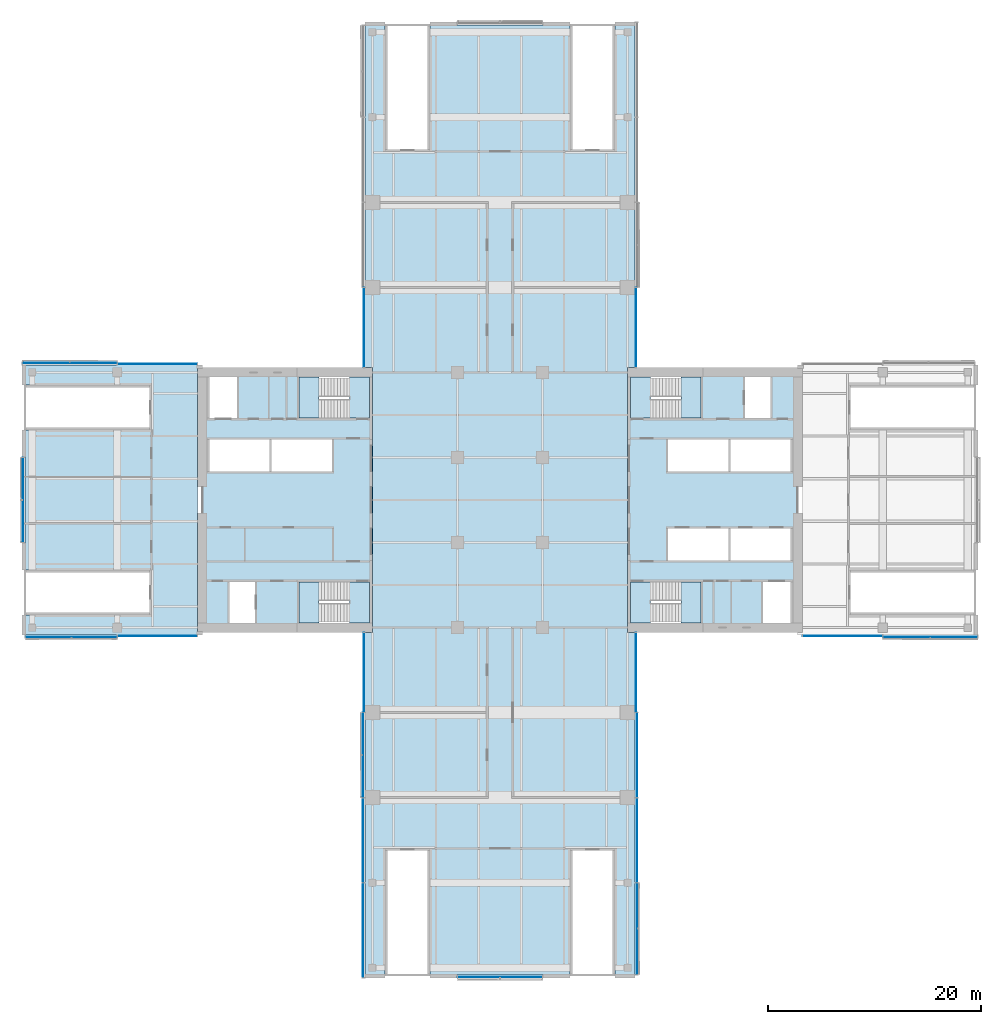
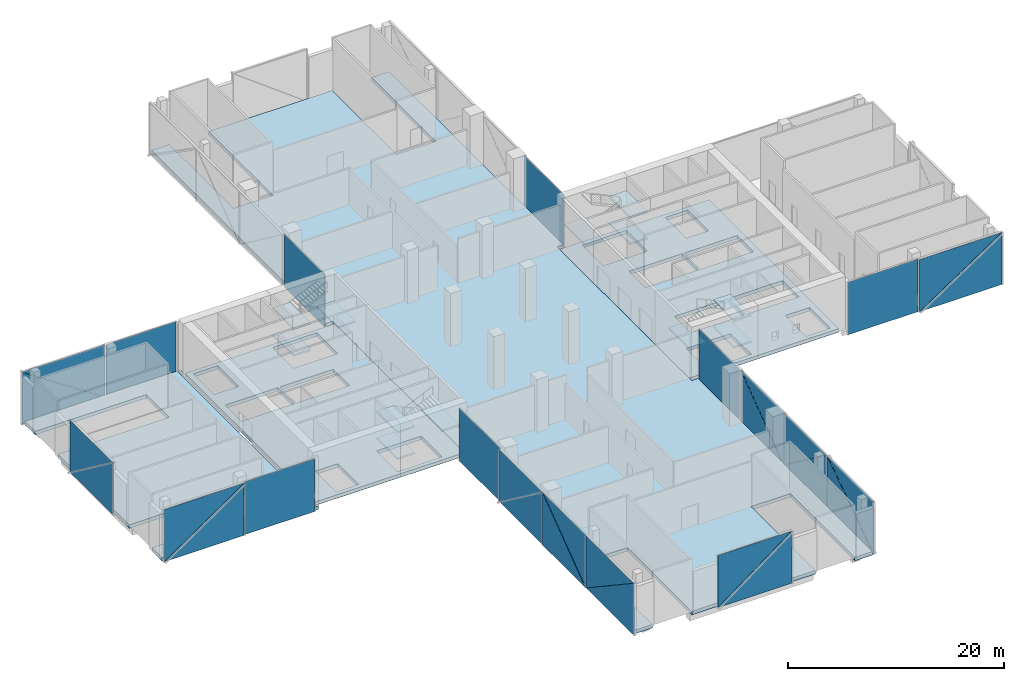
# One storey, part 12 of 23: 29 plates, 16 slabs, 18 elements without a shape of their own.
"""IFC4 building model written with IfcOpenShell, lengths in metres."""

from ifc_helpers import new_model, si_unit, direction, frame, origin, place, context, subcontext, project, spatial, polyline, outline, extrude, material, layer, layer_set, type_object, element, aggregate, save


model = new_model("IFC4")

# Units and contexts
model_context = context("Model", 3, precision=1e-05, world=origin(), true_north=direction((0.0, 1.0)))
body_context = subcontext(model_context, "Body", "Model", "MODEL_VIEW")
ifc_project = project(units=[si_unit("LENGTHUNIT", "METRE"), si_unit("AREAUNIT", "SQUARE_METRE"), si_unit("VOLUMEUNIT", "CUBIC_METRE"), si_unit("PLANEANGLEUNIT", "RADIAN"), si_unit("MASSUNIT", "GRAM", prefix="KILO")], contexts=[model_context])

# Site, building, storey
site_placement = place(None, origin())
site = spatial("IfcSite", under=ifc_project, at=site_placement, CompositionType="ELEMENT")
building_placement = place(site_placement, origin())
building = spatial("IfcBuilding", under=site, at=building_placement, Name="Crosswind Convention Tower", CompositionType="ELEMENT")
storey_placement = place(building_placement, frame((0.0, 0.0, 41.5)))
storey = spatial("IfcBuildingStorey", under=building, at=storey_placement, Name="L05", CompositionType="ELEMENT", Elevation=41.5)

# Slabs
ifc_material_1 = material(Name="Concrete C40/50", Category="concrete")
ifc_layer_1 = layer(ifc_material_1, 0.39990234375)
ifc_layer_set_1 = layer_set([ifc_layer_1], Name="Concrete C40/50")
slab_type_1 = type_object("IfcSlabType", Name="Composite floor slab 400", PredefinedType="FLOOR", material=ifc_layer_set_1)
slab_1_placement = place(storey_placement, frame((0.0, 0.0, -0.39990234375)))
element("IfcSlab", 1, at=slab_1_placement, inside=storey, type_object=slab_type_1, Name="Floor slab L05 part 1", PredefinedType="FLOOR", context=body_context, shape_type="SweptSolid", body=[
    extrude(outline(polyline([(97.0, 112.449951171875), (96.550048828125, 112.449951171875), (96.550048828125, 87.550048828125), (97.0, 87.550048828125), (97.0, 87.300048828125), (81.0, 87.300048828125), (80.300048828125, 87.300048828125), (80.300048828125, 88.0), (80.300048828125, 89.199951171875), (92.199951171875, 89.199951171875), (92.199951171875, 93.39990234375), (80.300048828125, 93.39990234375), (80.300048828125, 106.60009765625), (92.199951171875, 106.60009765625), (92.199951171875, 110.800048828125), (80.300048828125, 110.800048828125), (80.300048828125, 112.0), (80.300048828125, 112.699951171875), (81.0, 112.699951171875), (97.0, 112.699951171875), (97.0, 112.449951171875)])), origin(), (0.0, 0.0, 1.0), 0.39990234375),
])
slab_2_placement = place(storey_placement, frame((0.0, 0.0, -0.39990234375)))
element("IfcSlab", 2, at=slab_2_placement, inside=storey, type_object=slab_type_1, Name="Floor slab L05 part 2", PredefinedType="FLOOR", context=body_context, shape_type="SweptSolid", body=[
    extrude(outline(polyline([(114.199951171875, 132.800048828125), (118.39990234375, 132.800048828125), (118.39990234375, 144.699951171875), (131.60009765625, 144.699951171875), (131.60009765625, 132.800048828125), (135.800048828125, 132.800048828125), (135.800048828125, 144.699951171875), (137.0, 144.699951171875), (137.699951171875, 144.699951171875), (137.699951171875, 144.0), (137.699951171875, 112.449951171875), (137.0, 112.449951171875), (137.0, 87.550048828125), (137.699951171875, 87.550048828125), (137.699951171875, 56.0), (137.699951171875, 55.300048828125), (137.0, 55.300048828125), (135.800048828125, 55.300048828125), (135.800048828125, 67.199951171875), (131.60009765625, 67.199951171875), (131.60009765625, 55.300048828125), (118.39990234375, 55.300048828125), (118.39990234375, 67.199951171875), (114.199951171875, 67.199951171875), (114.199951171875, 55.300048828125), (113.0, 55.300048828125), (112.300048828125, 55.300048828125), (112.300048828125, 56.0), (112.300048828125, 87.550048828125), (113.0, 87.550048828125), (113.0, 112.449951171875), (112.300048828125, 112.449951171875), (112.300048828125, 144.0), (112.300048828125, 144.699951171875), (113.0, 144.699951171875), (114.199951171875, 144.699951171875), (114.199951171875, 132.800048828125)])), origin(), (0.0, 0.0, 1.0), 0.39990234375),
])
ifc_layer_2 = layer(ifc_material_1, 0.39990234375)
ifc_layer_set_2 = layer_set([ifc_layer_2], Name="Concrete C40/50")
slab_type_2 = type_object("IfcSlabType", Name="Concrete core floor slab 400", PredefinedType="FLOOR", material=ifc_layer_set_2)
slab_3_placement = place(storey_placement, frame((0.0, 0.0, -0.39990234375)))
element("IfcSlab", 3, at=slab_3_placement, inside=storey, type_object=slab_type_2, Name="Core floor slab E L05", PredefinedType="FLOOR", context=body_context, shape_type="SweptSolid", body=[
    extrude(outline(polyline([(137.0, 88.0), (153.0, 88.0), (153.0, 112.0), (137.0, 112.0), (137.0, 88.0)]), holes=[polyline([(146.5, 102.699951171875), (146.5, 105.699951171875), (140.800048828125, 105.699951171875), (140.800048828125, 102.699951171875), (146.5, 102.699951171875)]), polyline([(152.35009765625, 102.699951171875), (152.35009765625, 105.699951171875), (146.699951171875, 105.699951171875), (146.699951171875, 102.699951171875), (152.35009765625, 102.699951171875)]), polyline([(146.5, 94.300048828125), (146.5, 97.300048828125), (140.800048828125, 97.300048828125), (140.800048828125, 94.300048828125), (146.5, 94.300048828125)]), polyline([(152.35009765625, 94.300048828125), (152.35009765625, 97.300048828125), (146.699951171875, 97.300048828125), (146.699951171875, 94.300048828125), (152.35009765625, 94.300048828125)]), polyline([(150.449951171875, 107.699951171875), (150.449951171875, 111.550048828125), (148.050048828125, 111.550048828125), (148.050048828125, 107.699951171875), (150.449951171875, 107.699951171875)]), polyline([(152.35009765625, 88.449951171875), (152.35009765625, 92.300048828125), (149.75, 92.300048828125), (149.75, 88.449951171875), (152.35009765625, 88.449951171875)]), polyline([(143.89990234375, 107.699951171875), (143.89990234375, 111.550048828125), (139.14990234375, 111.550048828125), (139.14990234375, 107.699951171875), (143.89990234375, 107.699951171875)]), polyline([(143.89990234375, 88.449951171875), (143.89990234375, 92.300048828125), (139.14990234375, 92.300048828125), (139.14990234375, 88.449951171875), (143.89990234375, 88.449951171875)])]), origin(), (0.0, 0.0, 1.0), 0.39990234375),
])
slab_4_placement = place(storey_placement, frame((0.0, 0.0, -0.39990234375)))
element("IfcSlab", 4, at=slab_4_placement, inside=storey, type_object=slab_type_2, Name="Core floor slab W L05", PredefinedType="FLOOR", context=body_context, shape_type="SweptSolid", body=[
    extrude(outline(polyline([(97.0, 88.0), (113.0, 88.0), (113.0, 112.0), (97.0, 112.0), (97.0, 88.0)]), holes=[polyline([(109.199951171875, 102.699951171875), (109.199951171875, 105.699951171875), (103.5, 105.699951171875), (103.5, 102.699951171875), (109.199951171875, 102.699951171875)]), polyline([(103.300048828125, 102.699951171875), (103.300048828125, 105.699951171875), (97.64990234375, 105.699951171875), (97.64990234375, 102.699951171875), (103.300048828125, 102.699951171875)]), polyline([(101.949951171875, 88.449951171875), (101.949951171875, 92.300048828125), (99.550048828125, 92.300048828125), (99.550048828125, 88.449951171875), (101.949951171875, 88.449951171875)]), polyline([(100.25, 107.699951171875), (100.25, 111.550048828125), (97.64990234375, 111.550048828125), (97.64990234375, 107.699951171875), (100.25, 107.699951171875)]), polyline([(110.85009765625, 88.449951171875), (110.85009765625, 92.300048828125), (106.10009765625, 92.300048828125), (106.10009765625, 88.449951171875), (110.85009765625, 88.449951171875)]), polyline([(110.85009765625, 107.699951171875), (110.85009765625, 111.550048828125), (106.10009765625, 111.550048828125), (106.10009765625, 107.699951171875), (110.85009765625, 107.699951171875)])]), origin(), (0.0, 0.0, 1.0), 0.39990234375),
])

# Stair, slabs
stair_type = type_object("IfcStairType", Name="Exit stair 1800 wide, 4 flights of 11 risers", PredefinedType="HALF_TURN_STAIR", material=ifc_material_1)
stair_1_placement = place(storey_placement, origin())
stair_1 = element("IfcStair", 5, at=stair_1_placement, inside=storey, type_object=stair_type, Name="Exit stair ST1 L05", ObjectType="ST6", PredefinedType="HALF_TURN_STAIR")
ifc_layer_3 = layer(ifc_material_1, 0.199951171875)
ifc_layer_set_3 = layer_set([ifc_layer_3], Name="Concrete C40/50")
slab_type_3 = type_object("IfcSlabType", Name="Stair landing 200", PredefinedType="LANDING", material=ifc_layer_set_3)
slab_5_placement = place(storey_placement, frame((0.0, 0.0, 1.300048828125)))
slab_5 = element("IfcSlab", 6, at=slab_5_placement, type_object=slab_type_3, Name="ST1 landing 1", PredefinedType="LANDING", context=body_context, shape_type="SweptSolid", body=[
    extrude(outline(polyline([(143.89990234375, 107.699951171875), (143.89990234375, 111.550048828125), (142.050048828125, 111.550048828125), (142.050048828125, 107.699951171875), (143.89990234375, 107.699951171875)])), origin(), (0.0, 0.0, 1.0), 0.199951171875),
])
slab_6_placement = place(storey_placement, frame((0.0, 0.0, 2.800048828125)))
slab_6 = element("IfcSlab", 7, at=slab_6_placement, type_object=slab_type_3, Name="ST1 landing 2", PredefinedType="LANDING", context=body_context, shape_type="SweptSolid", body=[
    extrude(outline(polyline([(139.14990234375, 107.699951171875), (139.14990234375, 111.550048828125), (137.300048828125, 111.550048828125), (137.300048828125, 107.699951171875), (139.14990234375, 107.699951171875)])), origin(), (0.0, 0.0, 1.0), 0.199951171875),
])
slab_7_placement = place(storey_placement, frame((0.0, 0.0, 4.300048828125)))
slab_7 = element("IfcSlab", 8, at=slab_7_placement, type_object=slab_type_3, Name="ST1 landing 3", PredefinedType="LANDING", context=body_context, shape_type="SweptSolid", body=[
    extrude(outline(polyline([(143.89990234375, 107.699951171875), (143.89990234375, 111.550048828125), (142.050048828125, 111.550048828125), (142.050048828125, 107.699951171875), (143.89990234375, 107.699951171875)])), origin(), (0.0, 0.0, 1.0), 0.199951171875),
])
aggregate(stair_1, [slab_5, slab_6, slab_7])

stair_2_placement = place(storey_placement, origin())
stair_2 = element("IfcStair", 9, at=stair_2_placement, inside=storey, type_object=stair_type, Name="Exit stair ST2 L05", ObjectType="ST6", PredefinedType="HALF_TURN_STAIR")
slab_8_placement = place(storey_placement, frame((0.0, 0.0, 1.300048828125)))
slab_8 = element("IfcSlab", 10, at=slab_8_placement, type_object=slab_type_3, Name="ST2 landing 1", PredefinedType="LANDING", context=body_context, shape_type="SweptSolid", body=[
    extrude(outline(polyline([(143.89990234375, 88.449951171875), (143.89990234375, 92.300048828125), (142.050048828125, 92.300048828125), (142.050048828125, 88.449951171875), (143.89990234375, 88.449951171875)])), origin(), (0.0, 0.0, 1.0), 0.199951171875),
])
slab_9_placement = place(storey_placement, frame((0.0, 0.0, 2.800048828125)))
slab_9 = element("IfcSlab", 11, at=slab_9_placement, type_object=slab_type_3, Name="ST2 landing 2", PredefinedType="LANDING", context=body_context, shape_type="SweptSolid", body=[
    extrude(outline(polyline([(139.14990234375, 88.449951171875), (139.14990234375, 92.300048828125), (137.300048828125, 92.300048828125), (137.300048828125, 88.449951171875), (139.14990234375, 88.449951171875)])), origin(), (0.0, 0.0, 1.0), 0.199951171875),
])
slab_10_placement = place(storey_placement, frame((0.0, 0.0, 4.300048828125)))
slab_10 = element("IfcSlab", 12, at=slab_10_placement, type_object=slab_type_3, Name="ST2 landing 3", PredefinedType="LANDING", context=body_context, shape_type="SweptSolid", body=[
    extrude(outline(polyline([(143.89990234375, 88.449951171875), (143.89990234375, 92.300048828125), (142.050048828125, 92.300048828125), (142.050048828125, 88.449951171875), (143.89990234375, 88.449951171875)])), origin(), (0.0, 0.0, 1.0), 0.199951171875),
])
aggregate(stair_2, [slab_8, slab_9, slab_10])

stair_3_placement = place(storey_placement, origin())
stair_3 = element("IfcStair", 13, at=stair_3_placement, inside=storey, type_object=stair_type, Name="Exit stair ST3 L05", ObjectType="ST6", PredefinedType="HALF_TURN_STAIR")
slab_11_placement = place(storey_placement, frame((0.0, 0.0, 1.300048828125)))
slab_11 = element("IfcSlab", 14, at=slab_11_placement, type_object=slab_type_3, Name="ST3 landing 1", PredefinedType="LANDING", context=body_context, shape_type="SweptSolid", body=[
    extrude(outline(polyline([(107.949951171875, 88.449951171875), (107.949951171875, 92.300048828125), (106.10009765625, 92.300048828125), (106.10009765625, 88.449951171875), (107.949951171875, 88.449951171875)])), origin(), (0.0, 0.0, 1.0), 0.199951171875),
])
slab_12_placement = place(storey_placement, frame((0.0, 0.0, 2.800048828125)))
slab_12 = element("IfcSlab", 15, at=slab_12_placement, type_object=slab_type_3, Name="ST3 landing 2", PredefinedType="LANDING", context=body_context, shape_type="SweptSolid", body=[
    extrude(outline(polyline([(112.699951171875, 88.449951171875), (112.699951171875, 92.300048828125), (110.85009765625, 92.300048828125), (110.85009765625, 88.449951171875), (112.699951171875, 88.449951171875)])), origin(), (0.0, 0.0, 1.0), 0.199951171875),
])
slab_13_placement = place(storey_placement, frame((0.0, 0.0, 4.300048828125)))
slab_13 = element("IfcSlab", 16, at=slab_13_placement, type_object=slab_type_3, Name="ST3 landing 3", PredefinedType="LANDING", context=body_context, shape_type="SweptSolid", body=[
    extrude(outline(polyline([(107.949951171875, 88.449951171875), (107.949951171875, 92.300048828125), (106.10009765625, 92.300048828125), (106.10009765625, 88.449951171875), (107.949951171875, 88.449951171875)])), origin(), (0.0, 0.0, 1.0), 0.199951171875),
])
aggregate(stair_3, [slab_11, slab_12, slab_13])

stair_4_placement = place(storey_placement, origin())
stair_4 = element("IfcStair", 17, at=stair_4_placement, inside=storey, type_object=stair_type, Name="Exit stair ST4 L05", ObjectType="ST6", PredefinedType="HALF_TURN_STAIR")
slab_14_placement = place(storey_placement, frame((0.0, 0.0, 1.300048828125)))
slab_14 = element("IfcSlab", 18, at=slab_14_placement, type_object=slab_type_3, Name="ST4 landing 1", PredefinedType="LANDING", context=body_context, shape_type="SweptSolid", body=[
    extrude(outline(polyline([(107.949951171875, 107.699951171875), (107.949951171875, 111.550048828125), (106.10009765625, 111.550048828125), (106.10009765625, 107.699951171875), (107.949951171875, 107.699951171875)])), origin(), (0.0, 0.0, 1.0), 0.199951171875),
])
slab_15_placement = place(storey_placement, frame((0.0, 0.0, 2.800048828125)))
slab_15 = element("IfcSlab", 19, at=slab_15_placement, type_object=slab_type_3, Name="ST4 landing 2", PredefinedType="LANDING", context=body_context, shape_type="SweptSolid", body=[
    extrude(outline(polyline([(112.699951171875, 107.699951171875), (112.699951171875, 111.550048828125), (110.85009765625, 111.550048828125), (110.85009765625, 107.699951171875), (112.699951171875, 107.699951171875)])), origin(), (0.0, 0.0, 1.0), 0.199951171875),
])
slab_16_placement = place(storey_placement, frame((0.0, 0.0, 4.300048828125)))
slab_16 = element("IfcSlab", 20, at=slab_16_placement, type_object=slab_type_3, Name="ST4 landing 3", PredefinedType="LANDING", context=body_context, shape_type="SweptSolid", body=[
    extrude(outline(polyline([(107.949951171875, 107.699951171875), (107.949951171875, 111.550048828125), (106.10009765625, 111.550048828125), (106.10009765625, 107.699951171875), (107.949951171875, 107.699951171875)])), origin(), (0.0, 0.0, 1.0), 0.199951171875),
])
aggregate(stair_4, [slab_14, slab_15, slab_16])

# Curtain wall, plate
ifc_material_2 = material(Name="Aluminium unitised curtain wall", Category="aluminium")
curtain_wall_type_1 = type_object("IfcCurtainWallType", Name="CORE END SLOT WALL 160", PredefinedType="USERDEFINED", material=ifc_material_2)
curtain_wall_1_placement = place(storey_placement, origin())
curtain_wall_1 = element("IfcCurtainWall", 21, at=curtain_wall_1_placement, inside=storey, type_object=curtain_wall_type_1, Name="CW6 L05 N-E.1-1 slot", ObjectType="UNITISED", PredefinedType="USERDEFINED")
ifc_material_3 = material(Name="Laminated insulating glass unit", Category="glass")
ifc_layer_4 = layer(ifc_material_3, 0.02587890625)
ifc_layer_set_4 = layer_set([ifc_layer_4], Name="TRIANGULAR GLASS PANEL 26")
plate_type_1 = type_object("IfcPlateType", Name="TRIANGULAR GLASS PANEL 26", PredefinedType="CURTAIN_PANEL", material=ifc_layer_set_4)
plate_1_placement = place(storey_placement, frame((137.80712890625, 112.5, -0.39990234375), z_axis=(0.999999931812, 0.0, 0.000369291346), x_axis=(0.0, 1.0, 0.0)))
plate_1 = element("IfcPlate", 22, at=plate_1_placement, type_object=plate_type_1, Name="CW6 panel 1.1", PredefinedType="CURTAIN_PANEL", context=body_context, shape_type="SweptSolid", body=[
    extrude(outline(polyline([(0.0, 0.0), (7.449951171875, 0.0), (7.449951171875, 5.949951577590603), (0.0, 5.949951577590603), (0.0, 0.0)])), origin(), (0.0, 0.0, -1.0), 0.02587890625),
])
aggregate(curtain_wall_1, [plate_1])

curtain_wall_2_placement = place(storey_placement, origin())
curtain_wall_2 = element("IfcCurtainWall", 23, at=curtain_wall_2_placement, inside=storey, type_object=curtain_wall_type_1, Name="CW6 L05 N-W.1-4 slot", ObjectType="UNITISED", PredefinedType="USERDEFINED")
plate_2_placement = place(storey_placement, frame((112.19287109375, 119.949951171875, -0.39990234375), z_axis=(-0.999999931812, 0.0, 0.000369291346), x_axis=(0.0, -1.0, 0.0)))
plate_2 = element("IfcPlate", 24, at=plate_2_placement, type_object=plate_type_1, Name="CW6 panel 1.1", PredefinedType="CURTAIN_PANEL", context=body_context, shape_type="SweptSolid", body=[
    extrude(outline(polyline([(0.0, 0.0), (7.449951171875, 0.0), (7.449951171875, 5.949951577590603), (0.0, 5.949951577590603), (0.0, 0.0)])), origin(), (0.0, 0.0, -1.0), 0.02587890625),
])
aggregate(curtain_wall_2, [plate_2])

curtain_wall_3_placement = place(storey_placement, origin())
curtain_wall_3 = element("IfcCurtainWall", 25, at=curtain_wall_3_placement, inside=storey, type_object=curtain_wall_type_1, Name="CW6 L05 W-N.2-1 slot", ObjectType="UNITISED", PredefinedType="USERDEFINED")
plate_3_placement = place(storey_placement, frame((96.5, 112.80712890625, -0.39990234375), z_axis=(0.0, 0.999999931812, 0.000369291346), x_axis=(-1.0, 0.0, 0.0)))
plate_3 = element("IfcPlate", 26, at=plate_3_placement, type_object=plate_type_1, Name="CW6 panel 1.1", PredefinedType="CURTAIN_PANEL", context=body_context, shape_type="SweptSolid", body=[
    extrude(outline(polyline([(0.0, 0.0), (7.449951171875, 0.0), (7.449951171875, 5.949951577590603), (0.0, 5.949951577590603), (0.0, 0.0)])), origin(), (0.0, 0.0, -1.0), 0.02587890625),
])
aggregate(curtain_wall_3, [plate_3])

curtain_wall_4_placement = place(storey_placement, origin())
curtain_wall_4 = element("IfcCurtainWall", 27, at=curtain_wall_4_placement, inside=storey, type_object=curtain_wall_type_1, Name="CW6 L05 W-S.1-2 slot", ObjectType="UNITISED", PredefinedType="USERDEFINED")
plate_4_placement = place(storey_placement, frame((89.050048828125, 87.19287109375, -0.39990234375), z_axis=(0.0, -0.999999931812, 0.000369291346), x_axis=(1.0, 0.0, 0.0)))
plate_4 = element("IfcPlate", 28, at=plate_4_placement, type_object=plate_type_1, Name="CW6 panel 1.1", PredefinedType="CURTAIN_PANEL", context=body_context, shape_type="SweptSolid", body=[
    extrude(outline(polyline([(0.0, 0.0), (7.449951171875, 0.0), (7.449951171875, 5.949951577590603), (0.0, 5.949951577590603), (0.0, 0.0)])), origin(), (0.0, 0.0, -1.0), 0.02587890625),
])
aggregate(curtain_wall_4, [plate_4])

curtain_wall_5_placement = place(storey_placement, origin())
curtain_wall_5 = element("IfcCurtainWall", 29, at=curtain_wall_5_placement, inside=storey, type_object=curtain_wall_type_1, Name="CW6 L05 S-W.1-1 slot", ObjectType="UNITISED", PredefinedType="USERDEFINED")
plate_5_placement = place(storey_placement, frame((112.19287109375, 87.5, -0.39990234375), z_axis=(-0.999999931812, 0.0, 0.000369291346), x_axis=(0.0, -1.0, 0.0)))
plate_5 = element("IfcPlate", 30, at=plate_5_placement, type_object=plate_type_1, Name="CW6 panel 1.1", PredefinedType="CURTAIN_PANEL", context=body_context, shape_type="SweptSolid", body=[
    extrude(outline(polyline([(0.0, 0.0), (7.449951171875, 0.0), (7.449951171875, 5.949951577590603), (0.0, 5.949951577590603), (0.0, 0.0)])), origin(), (0.0, 0.0, -1.0), 0.02587890625),
])
aggregate(curtain_wall_5, [plate_5])

curtain_wall_6_placement = place(storey_placement, origin())
curtain_wall_6 = element("IfcCurtainWall", 31, at=curtain_wall_6_placement, inside=storey, type_object=curtain_wall_type_1, Name="CW6 L05 S-E.1-4 slot", ObjectType="UNITISED", PredefinedType="USERDEFINED")
plate_6_placement = place(storey_placement, frame((137.80712890625, 80.050048828125, -0.39990234375), z_axis=(0.999999931812, 0.0, 0.000369291346), x_axis=(0.0, 1.0, 0.0)))
plate_6 = element("IfcPlate", 32, at=plate_6_placement, type_object=plate_type_1, Name="CW6 panel 1.1", PredefinedType="CURTAIN_PANEL", context=body_context, shape_type="SweptSolid", body=[
    extrude(outline(polyline([(0.0, 0.0), (7.449951171875, 0.0), (7.449951171875, 5.949951577590603), (0.0, 5.949951577590603), (0.0, 0.0)])), origin(), (0.0, 0.0, -1.0), 0.02587890625),
])
aggregate(curtain_wall_6, [plate_6])

curtain_wall_7_placement = place(storey_placement, origin())
curtain_wall_7 = element("IfcCurtainWall", 33, at=curtain_wall_7_placement, inside=storey, type_object=curtain_wall_type_1, Name="CW6 L05 E-S.2-1 slot", ObjectType="UNITISED", PredefinedType="USERDEFINED")
plate_7_placement = place(storey_placement, frame((153.5, 87.19287109375, -0.39990234375), z_axis=(0.0, -0.999999931812, 0.000369291346), x_axis=(1.0, 0.0, 0.0)))
plate_7 = element("IfcPlate", 34, at=plate_7_placement, type_object=plate_type_1, Name="CW6 panel 1.1", PredefinedType="CURTAIN_PANEL", context=body_context, shape_type="SweptSolid", body=[
    extrude(outline(polyline([(0.0, 0.0), (7.449951171875, 0.0), (7.449951171875, 5.949951577590603), (0.0, 5.949951577590603), (0.0, 0.0)])), origin(), (0.0, 0.0, -1.0), 0.02587890625),
])
aggregate(curtain_wall_7, [plate_7])

# Curtain wall, plates
curtain_wall_type_2 = type_object("IfcCurtainWallType", Name="PODIUM UNITISED WALL 300", PredefinedType="USERDEFINED", material=ifc_material_2)
curtain_wall_8_placement = place(storey_placement, origin())
curtain_wall_8 = element("IfcCurtainWall", 35, at=curtain_wall_8_placement, inside=storey, type_object=curtain_wall_type_2, Name="CW1 L05 W-N 2", ObjectType="UNITISED", PredefinedType="USERDEFINED")
ifc_layer_5 = layer(ifc_material_3, 0.035888671875)
ifc_layer_set_5 = layer_set([ifc_layer_5], Name="TRIANGULAR GLASS PANEL 36")
plate_type_2 = type_object("IfcPlateType", Name="TRIANGULAR GLASS PANEL 36", PredefinedType="CURTAIN_PANEL", material=ifc_layer_set_5)
plate_8_placement = place(storey_placement, frame((80.094970703125, 112.88720703125, -0.39990234375), z_axis=(0.0, 0.999999914616, 0.000413240181), x_axis=(0.0, -0.000413240181, 0.999999914616)))
plate_8 = element("IfcPlate", 36, at=plate_8_placement, type_object=plate_type_2, Name="CW1 panel 1.1", PredefinedType="CURTAIN_PANEL", context=body_context, shape_type="SweptSolid", body=[
    extrude(outline(polyline([(0.0, 0.0), (5.9079594888186024, 0.0), (0.0, 8.846923828125), (0.0, 0.0)])), origin(), (0.0, 0.0, -1.0), 0.035888671875),
])
plate_9_placement = place(storey_placement, frame((88.9599609375, 112.9228515625, 5.52001953125), z_axis=(0.0, 0.999999914616, 0.000413240181), x_axis=(0.0, 0.000413240181, -0.999999914616)))
plate_9 = element("IfcPlate", 37, at=plate_9_placement, type_object=plate_type_2, Name="CW1 panel 1.2", PredefinedType="CURTAIN_PANEL", context=body_context, shape_type="SweptSolid", body=[
    extrude(outline(polyline([(0.0, 0.0), (5.9079594888186024, 0.0), (0.0, 8.846923828125), (0.0, 0.0)])), origin(), (0.0, 0.0, -1.0), 0.035888671875),
])
aggregate(curtain_wall_8, [plate_8, plate_9])

curtain_wall_9_placement = place(storey_placement, origin())
curtain_wall_9 = element("IfcCurtainWall", 38, at=curtain_wall_9_placement, inside=storey, type_object=curtain_wall_type_2, Name="CW1 L05 W-TIP 1", ObjectType="UNITISED", PredefinedType="USERDEFINED")
plate_10_placement = place(storey_placement, frame((80.11279296875, 96.0400390625, -0.39990234375), z_axis=(-0.999999914602, 0.0, 0.000413274338), x_axis=(0.000413274338, 0.0, 0.999999914602)))
plate_10 = element("IfcPlate", 39, at=plate_10_placement, type_object=plate_type_2, Name="CW1 panel 1.1", PredefinedType="CURTAIN_PANEL", context=body_context, shape_type="SweptSolid", body=[
    extrude(outline(polyline([(0.0, 0.0), (5.907471207610297, 0.0), (0.0, 7.903320312500002), (0.0, 0.0)])), origin(), (0.0, 0.0, -1.0), 0.035888671875),
])
plate_11_placement = place(storey_placement, frame((80.0771484375, 103.9599609375, 5.52001953125), z_axis=(-0.999999914602, 0.0, 0.000413274338), x_axis=(-0.000413274338, 0.0, -0.999999914602)))
plate_11 = element("IfcPlate", 40, at=plate_11_placement, type_object=plate_type_2, Name="CW1 panel 1.2", PredefinedType="CURTAIN_PANEL", context=body_context, shape_type="SweptSolid", body=[
    extrude(outline(polyline([(0.0, 0.0), (5.907471207610297, 0.0), (0.0, 7.903320312500002), (0.0, 0.0)])), origin(), (0.0, 0.0, -1.0), 0.035888671875),
])
aggregate(curtain_wall_9, [plate_10, plate_11])

curtain_wall_10_placement = place(storey_placement, origin())
curtain_wall_10 = element("IfcCurtainWall", 41, at=curtain_wall_10_placement, inside=storey, type_object=curtain_wall_type_2, Name="CW1 L05 W-S 1", ObjectType="UNITISED", PredefinedType="USERDEFINED")
plate_12_placement = place(storey_placement, frame((88.9599609375, 87.11279296875, -0.39990234375), z_axis=(0.0, -0.999999914609, 0.000413257259), x_axis=(0.0, 0.000413257259, 0.999999914609)))
plate_12 = element("IfcPlate", 42, at=plate_12_placement, type_object=plate_type_2, Name="CW1 panel 1.1", PredefinedType="CURTAIN_PANEL", context=body_context, shape_type="SweptSolid", body=[
    extrude(outline(polyline([(0.0, 0.0), (5.907715348214449, 0.0), (0.0, 8.562255859375), (0.0, 0.0)])), origin(), (0.0, 0.0, -1.0), 0.035888671875),
])
plate_13_placement = place(storey_placement, frame((80.3798828125, 87.0771484375, 5.52001953125), z_axis=(0.0, -0.999999914616, 0.000413240181), x_axis=(0.0, -0.000413240181, -0.999999914616)))
plate_13 = element("IfcPlate", 43, at=plate_13_placement, type_object=plate_type_2, Name="CW1 panel 1.2", PredefinedType="CURTAIN_PANEL", context=body_context, shape_type="SweptSolid", body=[
    extrude(outline(polyline([(0.0, 0.0), (5.9079594888186024, 0.0), (0.0, 8.5625), (0.0, 0.0)])), origin(), (0.0, 0.0, -1.0), 0.035888671875),
])
aggregate(curtain_wall_10, [plate_12, plate_13])

curtain_wall_11_placement = place(storey_placement, origin())
curtain_wall_11 = element("IfcCurtainWall", 44, at=curtain_wall_11_placement, inside=storey, type_object=curtain_wall_type_2, Name="CW1 L05 S-W 1", ObjectType="UNITISED", PredefinedType="USERDEFINED")
plate_14_placement = place(storey_placement, frame((112.11279296875, 72.0400390625, -0.39990234375), z_axis=(-0.999999914602, 0.0, 0.000413274338), x_axis=(0.000413274338, 0.0, 0.999999914602)))
plate_14 = element("IfcPlate", 45, at=plate_14_placement, type_object=plate_type_2, Name="CW1 panel 1.1", PredefinedType="CURTAIN_PANEL", context=body_context, shape_type="SweptSolid", body=[
    extrude(outline(polyline([(0.0, 0.0), (5.907471207610297, 0.0), (0.0, 7.903320312500002), (0.0, 0.0)])), origin(), (0.0, 0.0, -1.0), 0.035888671875),
])
plate_15_placement = place(storey_placement, frame((112.0771484375, 79.9599609375, 5.52001953125), z_axis=(-0.999999914602, 0.0, 0.000413274338), x_axis=(-0.000413274338, 0.0, -0.999999914602)))
plate_15 = element("IfcPlate", 46, at=plate_15_placement, type_object=plate_type_2, Name="CW1 panel 1.2", PredefinedType="CURTAIN_PANEL", context=body_context, shape_type="SweptSolid", body=[
    extrude(outline(polyline([(0.0, 0.0), (5.907471207610297, 0.0), (0.0, 7.903320312500002), (0.0, 0.0)])), origin(), (0.0, 0.0, -1.0), 0.035888671875),
])
plate_16_placement = place(storey_placement, frame((112.115234375, 64.0400390625, 5.52001953125), z_axis=(-0.999999914602, 0.0, 0.000413274338), x_axis=(0.0, 1.0, 0.0)))
plate_16 = element("IfcPlate", 47, at=plate_16_placement, type_object=plate_type_2, Name="CW1 panel 2.1", PredefinedType="CURTAIN_PANEL", context=body_context, shape_type="SweptSolid", body=[
    extrude(outline(polyline([(0.0, 0.0), (7.9033203125, 0.0), (0.0, 5.907471207610298), (0.0, 0.0)])), origin(), (0.0, 0.0, -1.0), 0.035888671875),
])
plate_17_placement = place(storey_placement, frame((112.07470703125, 71.9599609375, -0.39990234375), z_axis=(-0.999999914602, 0.0, 0.000413274338), x_axis=(0.0, -1.0, 0.0)))
plate_17 = element("IfcPlate", 48, at=plate_17_placement, type_object=plate_type_2, Name="CW1 panel 2.2", PredefinedType="CURTAIN_PANEL", context=body_context, shape_type="SweptSolid", body=[
    extrude(outline(polyline([(0.0, 0.0), (7.9033203125, 0.0), (0.0, 5.907471207610298), (0.0, 0.0)])), origin(), (0.0, 0.0, -1.0), 0.035888671875),
])
plate_18_placement = place(storey_placement, frame((112.11279296875, 55.094970703125, -0.39990234375), z_axis=(-0.999999914616, 0.0, 0.000413240181), x_axis=(0.000413240181, 0.0, 0.999999914616)))
plate_18 = element("IfcPlate", 49, at=plate_18_placement, type_object=plate_type_2, Name="CW1 panel 3.1", PredefinedType="CURTAIN_PANEL", context=body_context, shape_type="SweptSolid", body=[
    extrude(outline(polyline([(0.0, 0.0), (5.9079594888186024, 0.0), (0.0, 8.846923828125), (0.0, 0.0)])), origin(), (0.0, 0.0, -1.0), 0.035888671875),
])
plate_19_placement = place(storey_placement, frame((112.0771484375, 63.9599609375, 5.52001953125), z_axis=(-0.999999914616, 0.0, 0.000413240181), x_axis=(-0.000413240181, 0.0, -0.999999914616)))
plate_19 = element("IfcPlate", 50, at=plate_19_placement, type_object=plate_type_2, Name="CW1 panel 3.2", PredefinedType="CURTAIN_PANEL", context=body_context, shape_type="SweptSolid", body=[
    extrude(outline(polyline([(0.0, 0.0), (5.9079594888186024, 0.0), (0.0, 8.846923828125), (0.0, 0.0)])), origin(), (0.0, 0.0, -1.0), 0.035888671875),
])
aggregate(curtain_wall_11, [plate_14, plate_15, plate_16, plate_17, plate_18, plate_19])

curtain_wall_12_placement = place(storey_placement, origin())
curtain_wall_12 = element("IfcCurtainWall", 51, at=curtain_wall_12_placement, inside=storey, type_object=curtain_wall_type_2, Name="CW1 L05 S-TIP 1", ObjectType="UNITISED", PredefinedType="USERDEFINED")
plate_20_placement = place(storey_placement, frame((128.9599609375, 55.11279296875, -0.39990234375), z_axis=(0.0, -0.999999914602, 0.000413274338), x_axis=(0.0, 0.000413274338, 0.999999914602)))
plate_20 = element("IfcPlate", 52, at=plate_20_placement, type_object=plate_type_2, Name="CW1 panel 1.1", PredefinedType="CURTAIN_PANEL", context=body_context, shape_type="SweptSolid", body=[
    extrude(outline(polyline([(0.0, 0.0), (5.907471207610297, 0.0), (0.0, 7.903320312500002), (0.0, 0.0)])), origin(), (0.0, 0.0, -1.0), 0.035888671875),
])
plate_21_placement = place(storey_placement, frame((121.0400390625, 55.0771484375, 5.52001953125), z_axis=(0.0, -0.999999914602, 0.000413274338), x_axis=(0.0, -0.000413274338, -0.999999914602)))
plate_21 = element("IfcPlate", 53, at=plate_21_placement, type_object=plate_type_2, Name="CW1 panel 1.2", PredefinedType="CURTAIN_PANEL", context=body_context, shape_type="SweptSolid", body=[
    extrude(outline(polyline([(0.0, 0.0), (5.907471207610297, 0.0), (0.0, 7.903320312500002), (0.0, 0.0)])), origin(), (0.0, 0.0, -1.0), 0.035888671875),
])
aggregate(curtain_wall_12, [plate_20, plate_21])

curtain_wall_13_placement = place(storey_placement, origin())
curtain_wall_13 = element("IfcCurtainWall", 54, at=curtain_wall_13_placement, inside=storey, type_object=curtain_wall_type_2, Name="CW1 L05 S-E 1", ObjectType="UNITISED", PredefinedType="USERDEFINED")
plate_22_placement = place(storey_placement, frame((137.88720703125, 63.9599609375, -0.39990234375), z_axis=(0.999999914609, 0.0, 0.000413257259), x_axis=(-0.000413257259, 0.0, 0.999999914609)))
plate_22 = element("IfcPlate", 55, at=plate_22_placement, type_object=plate_type_2, Name="CW1 panel 1.1", PredefinedType="CURTAIN_PANEL", context=body_context, shape_type="SweptSolid", body=[
    extrude(outline(polyline([(0.0, 0.0), (5.907715348214449, 0.0), (0.0, 8.562255859375), (0.0, 0.0)])), origin(), (0.0, 0.0, -1.0), 0.035888671875),
])
plate_23_placement = place(storey_placement, frame((137.9228515625, 55.3798828125, 5.52001953125), z_axis=(0.999999914616, 0.0, 0.000413240181), x_axis=(0.000413240181, 0.0, -0.999999914616)))
plate_23 = element("IfcPlate", 56, at=plate_23_placement, type_object=plate_type_2, Name="CW1 panel 1.2", PredefinedType="CURTAIN_PANEL", context=body_context, shape_type="SweptSolid", body=[
    extrude(outline(polyline([(0.0, 0.0), (5.9079594888186024, 0.0), (0.0, 8.5625), (0.0, 0.0)])), origin(), (0.0, 0.0, -1.0), 0.035888671875),
])
plate_24_placement = place(storey_placement, frame((137.884765625, 71.9599609375, 5.52001953125), z_axis=(0.999999914602, 0.0, 0.000413274338), x_axis=(0.0, -1.0, 0.0)))
plate_24 = element("IfcPlate", 57, at=plate_24_placement, type_object=plate_type_2, Name="CW1 panel 2.1", PredefinedType="CURTAIN_PANEL", context=body_context, shape_type="SweptSolid", body=[
    extrude(outline(polyline([(0.0, 0.0), (7.9033203125, 0.0), (0.0, 5.907471207610298), (0.0, 0.0)])), origin(), (0.0, 0.0, -1.0), 0.035888671875),
])
plate_25_placement = place(storey_placement, frame((137.92529296875, 64.0400390625, -0.39990234375), z_axis=(0.999999914602, 0.0, 0.000413274338), x_axis=(0.0, 1.0, 0.0)))
plate_25 = element("IfcPlate", 58, at=plate_25_placement, type_object=plate_type_2, Name="CW1 panel 2.2", PredefinedType="CURTAIN_PANEL", context=body_context, shape_type="SweptSolid", body=[
    extrude(outline(polyline([(0.0, 0.0), (7.9033203125, 0.0), (0.0, 5.907471207610298), (0.0, 0.0)])), origin(), (0.0, 0.0, -1.0), 0.035888671875),
])
plate_26_placement = place(storey_placement, frame((137.88720703125, 79.9599609375, -0.39990234375), z_axis=(0.999999914602, 0.0, 0.000413274338), x_axis=(-0.000413274338, 0.0, 0.999999914602)))
plate_26 = element("IfcPlate", 59, at=plate_26_placement, type_object=plate_type_2, Name="CW1 panel 3.1", PredefinedType="CURTAIN_PANEL", context=body_context, shape_type="SweptSolid", body=[
    extrude(outline(polyline([(0.0, 0.0), (5.907471207610297, 0.0), (0.0, 7.903320312500002), (0.0, 0.0)])), origin(), (0.0, 0.0, -1.0), 0.035888671875),
])
plate_27_placement = place(storey_placement, frame((137.9228515625, 72.0400390625, 5.52001953125), z_axis=(0.999999914602, 0.0, 0.000413274338), x_axis=(0.000413274338, 0.0, -0.999999914602)))
plate_27 = element("IfcPlate", 60, at=plate_27_placement, type_object=plate_type_2, Name="CW1 panel 3.2", PredefinedType="CURTAIN_PANEL", context=body_context, shape_type="SweptSolid", body=[
    extrude(outline(polyline([(0.0, 0.0), (5.907471207610297, 0.0), (0.0, 7.903320312500002), (0.0, 0.0)])), origin(), (0.0, 0.0, -1.0), 0.035888671875),
])
aggregate(curtain_wall_13, [plate_22, plate_23, plate_24, plate_25, plate_26, plate_27])

curtain_wall_14_placement = place(storey_placement, origin())
curtain_wall_14 = element("IfcCurtainWall", 61, at=curtain_wall_14_placement, inside=storey, type_object=curtain_wall_type_2, Name="CW1 L05 E-S 2", ObjectType="UNITISED", PredefinedType="USERDEFINED")
plate_28_placement = place(storey_placement, frame((169.905029296875, 87.11279296875, -0.39990234375), z_axis=(0.0, -0.999999914616, 0.000413240181), x_axis=(0.0, 0.000413240181, 0.999999914616)))
plate_28 = element("IfcPlate", 62, at=plate_28_placement, type_object=plate_type_2, Name="CW1 panel 1.1", PredefinedType="CURTAIN_PANEL", context=body_context, shape_type="SweptSolid", body=[
    extrude(outline(polyline([(0.0, 0.0), (5.9079594888186024, 0.0), (0.0, 8.846923828125), (0.0, 0.0)])), origin(), (0.0, 0.0, -1.0), 0.035888671875),
])
plate_29_placement = place(storey_placement, frame((161.0400390625, 87.0771484375, 5.52001953125), z_axis=(0.0, -0.999999914616, 0.000413240181), x_axis=(0.0, -0.000413240181, -0.999999914616)))
plate_29 = element("IfcPlate", 63, at=plate_29_placement, type_object=plate_type_2, Name="CW1 panel 1.2", PredefinedType="CURTAIN_PANEL", context=body_context, shape_type="SweptSolid", body=[
    extrude(outline(polyline([(0.0, 0.0), (5.9079594888186024, 0.0), (0.0, 8.846923828125), (0.0, 0.0)])), origin(), (0.0, 0.0, -1.0), 0.035888671875),
])
aggregate(curtain_wall_14, [plate_28, plate_29])

save(model, "model.ifc")
